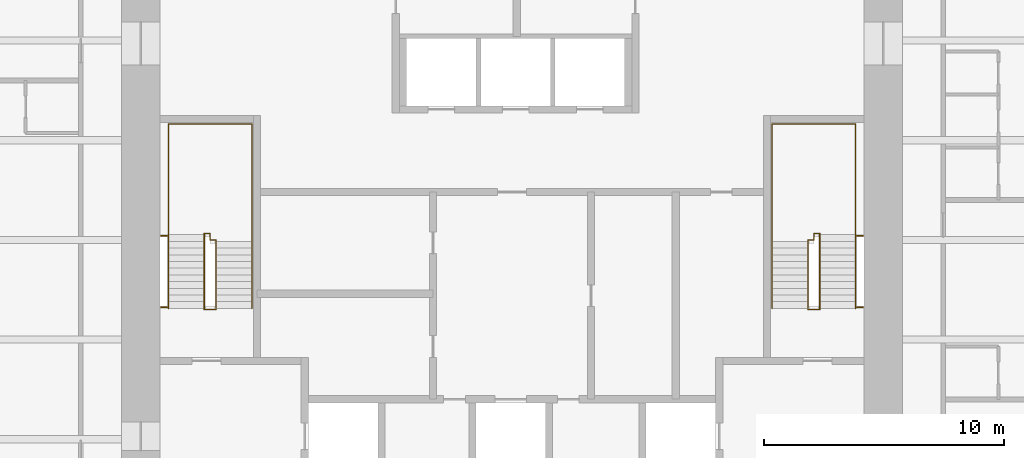
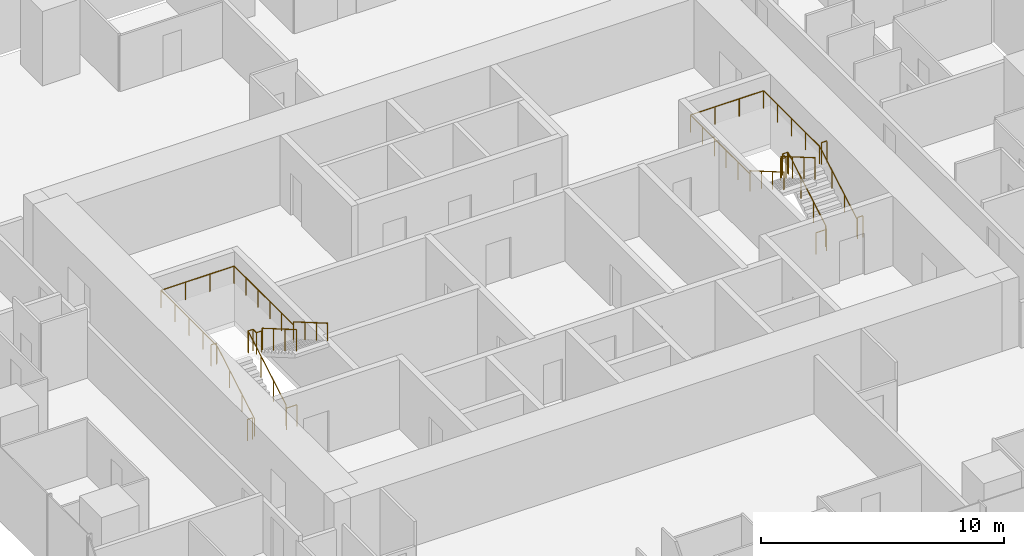
# One storey, part 12 of 12: 8 railings.
"""IFC4 building model written with IfcOpenShell, lengths in metres."""

from ifc_helpers import new_model, si_unit, direction, frame, origin, origin_2d, place, context, subcontext, project, spatial, circle, extrude, material, type_object, element, save


model = new_model("IFC4")

# Units and contexts
model_context = context("Model", 3, precision=1e-05, world=origin(), true_north=direction((0.0, 1.0)))
body_context = subcontext(model_context, "Body", "Model", "MODEL_VIEW")
ifc_project = project(units=[si_unit("LENGTHUNIT", "METRE"), si_unit("AREAUNIT", "SQUARE_METRE"), si_unit("VOLUMEUNIT", "CUBIC_METRE"), si_unit("PLANEANGLEUNIT", "RADIAN"), si_unit("MASSUNIT", "GRAM", prefix="KILO")], contexts=[model_context])

# Site, building, storey
site_placement = place(None, origin())
site = spatial("IfcSite", under=ifc_project, at=site_placement, CompositionType="ELEMENT")
building_placement = place(site_placement, origin())
building = spatial("IfcBuilding", under=site, at=building_placement, Name="Khuree Lantern Residences", CompositionType="ELEMENT")
storey_placement = place(building_placement, frame((0.0, 0.0, 225.75)))
storey = spatial("IfcBuildingStorey", under=building, at=storey_placement, Name="L56", CompositionType="ELEMENT", Elevation=225.75)

# Railings
ifc_material = material(Name="Steel S355", Category="steel")
railing_type_1 = type_object("IfcRailingType", Name="STAIR GUARD G1 1100", PredefinedType="GUARDRAIL", material=ifc_material)
railing_1_placement = place(storey_placement, frame((-12.35009765625, -2.909912109375, 0.0)))
element("IfcRailing", 1, at=railing_1_placement, inside=storey, type_object=railing_type_1, Name="Stair ST1 guard", PredefinedType="GUARDRAIL", context=body_context, shape_type="SweptSolid", body=[
    extrude(circle(Radius=0.02392578125, at=origin_2d()), frame((0.0, 0.0, 1.076171875), z_axis=(-1.0, 0.0, 0.0), x_axis=(0.0, -1.0, 0.0)), (0.0, 0.0, 1.0), 0.5),
    extrude(circle(Radius=0.02392578125, at=origin_2d()), frame((-0.5, 0.0, 1.076171875), z_axis=(0.0, 0.292073035251, 0.95639601739), x_axis=(-1.0, 0.0, 0.0)), (0.0, 0.0, 1.0), 0.17041015625),
    extrude(circle(Radius=0.02392578125, at=origin_2d()), frame((-0.5, 0.0498046875, 1.2392578125), z_axis=(0.0, 0.864176135923, 0.503189433615), x_axis=(-1.0, 0.0, 0.0)), (0.0, 0.0, 1.0), 3.564208984375),
    extrude(circle(Radius=0.02392578125, at=origin_2d()), frame((-0.5, 3.1298828125, 3.03271484375), z_axis=(0.0, 1.0, 0.0), x_axis=(-1.0, 0.0, 0.0)), (0.0, 0.0, 1.0), 0.050048828125),
    extrude(circle(Radius=0.02392578125, at=origin_2d()), frame((-0.5, 3.179931640625, 3.03271484375), z_axis=(1.0, 0.0, 0.0), x_axis=(0.0, 1.0, 0.0)), (0.0, 0.0, 1.0), 0.25),
    extrude(circle(Radius=0.02392578125, at=origin_2d()), frame((-0.25, 3.179931640625, 3.03271484375), z_axis=(0.0, -1.0, 0.0), x_axis=(1.0, 0.0, 0.0)), (0.0, 0.0, 1.0), 0.280029296875),
    extrude(circle(Radius=0.02392578125, at=origin_2d()), frame((-0.25, 2.89990234375, 3.03271484375), z_axis=(1.0, 0.0, 0.0), x_axis=(0.0, 1.0, 0.0)), (0.0, 0.0, 1.0), 0.25),
    extrude(circle(Radius=0.02392578125, at=origin_2d()), frame((0.0, 2.89990234375, 3.03271484375), z_axis=(0.0, -0.293381807449, 0.955995353053), x_axis=(1.0, 0.0, 0.0)), (0.0, 0.0, 1.0), 0.170654296875),
    extrude(circle(Radius=0.02392578125, at=origin_2d()), frame((0.0, 2.849853515625, 3.19580078125), z_axis=(0.0, -0.864180358799, 0.503182181189), x_axis=(1.0, 0.0, 0.0)), (0.0, 0.0, 1.0), 3.240234375),
    extrude(circle(Radius=0.02099609375, at=origin_2d()), origin(), (0.0, 0.0, 1.0), 1.052001953125),
    extrude(circle(Radius=0.02099609375, at=origin_2d()), frame((-0.5, 0.0, 0.0)), (0.0, 0.0, 1.0), 1.052001953125),
    extrude(circle(Radius=0.02099609375, at=origin_2d()), frame((-0.5, 0.0498046875, 0.1630859375)), (0.0, 0.0, 1.0), 1.052001953125),
    extrude(circle(Radius=0.02099609375, at=origin_2d()), frame((-0.5, 1.076416015625, 0.760986328125)), (0.0, 0.0, 1.0), 1.052001953125),
    extrude(circle(Radius=0.02099609375, at=origin_2d()), frame((-0.5, 2.103271484375, 1.358642578125)), (0.0, 0.0, 1.0), 1.052001953125),
    extrude(circle(Radius=0.02099609375, at=origin_2d()), frame((-0.5, 3.1298828125, 1.95654296875)), (0.0, 0.0, 1.0), 1.052001953125),
    extrude(circle(Radius=0.02099609375, at=origin_2d()), frame((-0.5, 3.179931640625, 1.95654296875)), (0.0, 0.0, 1.0), 1.052001953125),
    extrude(circle(Radius=0.02099609375, at=origin_2d()), frame((-0.25, 3.179931640625, 1.95654296875)), (0.0, 0.0, 1.0), 1.052001953125),
    extrude(circle(Radius=0.02099609375, at=origin_2d()), frame((-0.25, 2.89990234375, 1.95654296875)), (0.0, 0.0, 1.0), 1.052001953125),
    extrude(circle(Radius=0.02099609375, at=origin_2d()), frame((0.0, 2.89990234375, 1.95654296875)), (0.0, 0.0, 1.0), 1.052001953125),
    extrude(circle(Radius=0.02099609375, at=origin_2d()), frame((0.0, 2.849853515625, 2.11962890625)), (0.0, 0.0, 1.0), 1.052001953125),
    extrude(circle(Radius=0.02099609375, at=origin_2d()), frame((0.0, 1.91650390625, 2.6630859375)), (0.0, 0.0, 1.0), 1.052001953125),
    extrude(circle(Radius=0.02099609375, at=origin_2d()), frame((0.0, 0.983154296875, 3.20654296875)), (0.0, 0.0, 1.0), 1.052001953125),
    extrude(circle(Radius=0.02099609375, at=origin_2d()), frame((0.0, 0.0498046875, 3.75)), (0.0, 0.0, 1.0), 1.052001953125),
])
for number, where, name in (
    (2, (-14.64990234375, -2.81005859375, 0.0), "Stair ST1 landing slot guard"),
    (3, (-14.64990234375, 0.169921875, 1.95654296875), "Stair ST1 landing slot guard"),
):
    element("IfcRailing", number, at=place(storey_placement, frame(where)), inside=storey, type_object=railing_type_1, Name=name, PredefinedType="GUARDRAIL", context=body_context, shape_type="SweptSolid", body=[
        extrude(circle(Radius=0.02392578125, at=origin_2d()), frame((0.0, 0.0, 1.076171875), z_axis=(1.0, 0.0, 0.0), x_axis=(0.0, 1.0, 0.0)), (0.0, 0.0, 1.0), 0.25),
        extrude(circle(Radius=0.02099609375, at=origin_2d()), origin(), (0.0, 0.0, 1.0), 1.052001953125),
        extrude(circle(Radius=0.02099609375, at=origin_2d()), frame((0.25, 0.0, 0.0)), (0.0, 0.0, 1.0), 1.052001953125),
    ])
railing_2_placement = place(storey_placement, frame((12.35009765625, -2.909912109375, 0.0)))
element("IfcRailing", 4, at=railing_2_placement, inside=storey, type_object=railing_type_1, Name="Stair ST2 guard", PredefinedType="GUARDRAIL", context=body_context, shape_type="SweptSolid", body=[
    extrude(circle(Radius=0.02392578125, at=origin_2d()), frame((0.0, 0.0, 1.076171875), z_axis=(1.0, 0.0, 0.0), x_axis=(0.0, 1.0, 0.0)), (0.0, 0.0, 1.0), 0.5),
    extrude(circle(Radius=0.02392578125, at=origin_2d()), frame((0.5, 0.0, 1.076171875), z_axis=(0.0, 0.292073035251, 0.95639601739), x_axis=(-1.0, 0.0, 0.0)), (0.0, 0.0, 1.0), 0.17041015625),
    extrude(circle(Radius=0.02392578125, at=origin_2d()), frame((0.5, 0.0498046875, 1.2392578125), z_axis=(0.0, 0.864176135923, 0.503189433615), x_axis=(-1.0, 0.0, 0.0)), (0.0, 0.0, 1.0), 3.564208984375),
    extrude(circle(Radius=0.02392578125, at=origin_2d()), frame((0.5, 3.1298828125, 3.03271484375), z_axis=(0.0, 1.0, 0.0), x_axis=(-1.0, 0.0, 0.0)), (0.0, 0.0, 1.0), 0.050048828125),
    extrude(circle(Radius=0.02392578125, at=origin_2d()), frame((0.5, 3.179931640625, 3.03271484375), z_axis=(-1.0, 0.0, 0.0), x_axis=(0.0, -1.0, 0.0)), (0.0, 0.0, 1.0), 0.25),
    extrude(circle(Radius=0.02392578125, at=origin_2d()), frame((0.25, 3.179931640625, 3.03271484375), z_axis=(0.0, -1.0, 0.0), x_axis=(1.0, 0.0, 0.0)), (0.0, 0.0, 1.0), 0.280029296875),
    extrude(circle(Radius=0.02392578125, at=origin_2d()), frame((0.25, 2.89990234375, 3.03271484375), z_axis=(-1.0, 0.0, 0.0), x_axis=(0.0, -1.0, 0.0)), (0.0, 0.0, 1.0), 0.25),
    extrude(circle(Radius=0.02392578125, at=origin_2d()), frame((0.0, 2.89990234375, 3.03271484375), z_axis=(0.0, -0.293381807449, 0.955995353053), x_axis=(1.0, 0.0, 0.0)), (0.0, 0.0, 1.0), 0.170654296875),
    extrude(circle(Radius=0.02392578125, at=origin_2d()), frame((0.0, 2.849853515625, 3.19580078125), z_axis=(0.0, -0.864180358799, 0.503182181189), x_axis=(1.0, 0.0, 0.0)), (0.0, 0.0, 1.0), 3.240234375),
    extrude(circle(Radius=0.02099609375, at=origin_2d()), origin(), (0.0, 0.0, 1.0), 1.052001953125),
    extrude(circle(Radius=0.02099609375, at=origin_2d()), frame((0.5, 0.0, 0.0)), (0.0, 0.0, 1.0), 1.052001953125),
    extrude(circle(Radius=0.02099609375, at=origin_2d()), frame((0.5, 0.0498046875, 0.1630859375)), (0.0, 0.0, 1.0), 1.052001953125),
    extrude(circle(Radius=0.02099609375, at=origin_2d()), frame((0.5, 1.076416015625, 0.760986328125)), (0.0, 0.0, 1.0), 1.052001953125),
    extrude(circle(Radius=0.02099609375, at=origin_2d()), frame((0.5, 2.103271484375, 1.358642578125)), (0.0, 0.0, 1.0), 1.052001953125),
    extrude(circle(Radius=0.02099609375, at=origin_2d()), frame((0.5, 3.1298828125, 1.95654296875)), (0.0, 0.0, 1.0), 1.052001953125),
    extrude(circle(Radius=0.02099609375, at=origin_2d()), frame((0.5, 3.179931640625, 1.95654296875)), (0.0, 0.0, 1.0), 1.052001953125),
    extrude(circle(Radius=0.02099609375, at=origin_2d()), frame((0.25, 3.179931640625, 1.95654296875)), (0.0, 0.0, 1.0), 1.052001953125),
    extrude(circle(Radius=0.02099609375, at=origin_2d()), frame((0.25, 2.89990234375, 1.95654296875)), (0.0, 0.0, 1.0), 1.052001953125),
    extrude(circle(Radius=0.02099609375, at=origin_2d()), frame((0.0, 2.89990234375, 1.95654296875)), (0.0, 0.0, 1.0), 1.052001953125),
    extrude(circle(Radius=0.02099609375, at=origin_2d()), frame((0.0, 2.849853515625, 2.11962890625)), (0.0, 0.0, 1.0), 1.052001953125),
    extrude(circle(Radius=0.02099609375, at=origin_2d()), frame((0.0, 1.91650390625, 2.6630859375)), (0.0, 0.0, 1.0), 1.052001953125),
    extrude(circle(Radius=0.02099609375, at=origin_2d()), frame((0.0, 0.983154296875, 3.20654296875)), (0.0, 0.0, 1.0), 1.052001953125),
    extrude(circle(Radius=0.02099609375, at=origin_2d()), frame((0.0, 0.0498046875, 3.75)), (0.0, 0.0, 1.0), 1.052001953125),
])
for number, where, name in (
    (5, (14.64990234375, -2.81005859375, 0.0), "Stair ST2 landing slot guard"),
    (6, (14.64990234375, 0.169921875, 1.95654296875), "Stair ST2 landing slot guard"),
):
    element("IfcRailing", number, at=place(storey_placement, frame(where)), inside=storey, type_object=railing_type_1, Name=name, PredefinedType="GUARDRAIL", context=body_context, shape_type="SweptSolid", body=[
        extrude(circle(Radius=0.02392578125, at=origin_2d()), frame((0.0, 0.0, 1.076171875), z_axis=(-1.0, 0.0, 0.0), x_axis=(0.0, -1.0, 0.0)), (0.0, 0.0, 1.0), 0.25),
        extrude(circle(Radius=0.02099609375, at=origin_2d()), origin(), (0.0, 0.0, 1.0), 1.052001953125),
        extrude(circle(Radius=0.02099609375, at=origin_2d()), frame((-0.25, 0.0, 0.0)), (0.0, 0.0, 1.0), 1.052001953125),
    ])
railing_type_2 = type_object("IfcRailingType", Name="STAIR HANDRAIL H1 900", PredefinedType="HANDRAIL", material=ifc_material)
railing_3_placement = place(storey_placement, frame((-14.340087890625, -2.860107421875, 0.1630859375)))
element("IfcRailing", 7, at=railing_3_placement, inside=storey, type_object=railing_type_2, Name="Stair ST1 handrail", PredefinedType="HANDRAIL", context=body_context, shape_type="SweptSolid", body=[
    extrude(circle(Radius=0.02392578125, at=origin_2d()), frame((0.0, 0.0, 0.8759765625), z_axis=(0.0, 0.864176135923, 0.503189433615), x_axis=(-1.0, 0.0, 0.0)), (0.0, 0.0, 1.0), 3.564208984375),
    extrude(circle(Radius=0.02392578125, at=origin_2d()), frame((0.0, 3.080078125, 2.66943359375), z_axis=(0.0, 1.0, 0.0), x_axis=(-1.0, 0.0, 0.0)), (0.0, 0.0, 1.0), 4.6201171875),
    extrude(circle(Radius=0.02392578125, at=origin_2d()), frame((0.0, 7.7001953125, 2.66943359375), z_axis=(1.0, 0.0, 0.0), x_axis=(0.0, 1.0, 0.0)), (0.0, 0.0, 1.0), 3.47998046875),
    extrude(circle(Radius=0.02392578125, at=origin_2d()), frame((3.47998046875, 7.7001953125, 2.66943359375), z_axis=(0.0, -1.0, 0.0), x_axis=(1.0, 0.0, 0.0)), (0.0, 0.0, 1.0), 4.900146484375),
    extrude(circle(Radius=0.02392578125, at=origin_2d()), frame((3.47998046875, 2.800048828125, 2.66943359375), z_axis=(0.0, 0.0, 1.0), x_axis=(1.0, 0.0, 0.0)), (0.0, 0.0, 1.0), 0.1630859375),
    extrude(circle(Radius=0.02392578125, at=origin_2d()), frame((3.47998046875, 2.800048828125, 2.83251953125), z_axis=(0.0, -0.864180358799, 0.503182181189), x_axis=(1.0, 0.0, 0.0)), (0.0, 0.0, 1.0), 3.240234375),
    extrude(circle(Radius=0.02099609375, at=origin_2d()), origin(), (0.0, 0.0, 1.0), 0.851806640625),
    extrude(circle(Radius=0.02099609375, at=origin_2d()), frame((0.0, 1.026611328125, 0.597900390625)), (0.0, 0.0, 1.0), 0.851806640625),
    extrude(circle(Radius=0.02099609375, at=origin_2d()), frame((0.0, 2.053466796875, 1.195556640625)), (0.0, 0.0, 1.0), 0.851806640625),
    extrude(circle(Radius=0.02099609375, at=origin_2d()), frame((0.0, 3.080078125, 1.79345703125)), (0.0, 0.0, 1.0), 0.851806640625),
    extrude(circle(Radius=0.02099609375, at=origin_2d()), frame((0.0, 4.235107421875, 1.79345703125)), (0.0, 0.0, 1.0), 0.851806640625),
    extrude(circle(Radius=0.02099609375, at=origin_2d()), frame((0.0, 5.39013671875, 1.79345703125)), (0.0, 0.0, 1.0), 0.851806640625),
    extrude(circle(Radius=0.02099609375, at=origin_2d()), frame((0.0, 6.545166015625, 1.79345703125)), (0.0, 0.0, 1.0), 0.851806640625),
    extrude(circle(Radius=0.02099609375, at=origin_2d()), frame((0.0, 7.7001953125, 1.79345703125)), (0.0, 0.0, 1.0), 0.851806640625),
    extrude(circle(Radius=0.02099609375, at=origin_2d()), frame((1.159912109375, 7.7001953125, 1.79345703125)), (0.0, 0.0, 1.0), 0.851806640625),
    extrude(circle(Radius=0.02099609375, at=origin_2d()), frame((2.320068359375, 7.7001953125, 1.79345703125)), (0.0, 0.0, 1.0), 0.851806640625),
    extrude(circle(Radius=0.02099609375, at=origin_2d()), frame((3.47998046875, 7.7001953125, 1.79345703125)), (0.0, 0.0, 1.0), 0.851806640625),
    extrude(circle(Radius=0.02099609375, at=origin_2d()), frame((3.47998046875, 6.72021484375, 1.79345703125)), (0.0, 0.0, 1.0), 0.851806640625),
    extrude(circle(Radius=0.02099609375, at=origin_2d()), frame((3.47998046875, 5.740234375, 1.79345703125)), (0.0, 0.0, 1.0), 0.851806640625),
    extrude(circle(Radius=0.02099609375, at=origin_2d()), frame((3.47998046875, 4.760009765625, 1.79345703125)), (0.0, 0.0, 1.0), 0.851806640625),
    extrude(circle(Radius=0.02099609375, at=origin_2d()), frame((3.47998046875, 3.780029296875, 1.79345703125)), (0.0, 0.0, 1.0), 0.851806640625),
    extrude(circle(Radius=0.02099609375, at=origin_2d()), frame((3.47998046875, 2.800048828125, 1.79345703125)), (0.0, 0.0, 1.0), 0.851806640625),
    extrude(circle(Radius=0.02099609375, at=origin_2d()), frame((3.47998046875, 2.800048828125, 1.95654296875)), (0.0, 0.0, 1.0), 0.851806640625),
    extrude(circle(Radius=0.02099609375, at=origin_2d()), frame((3.47998046875, 1.86669921875, 2.5)), (0.0, 0.0, 1.0), 0.851806640625),
    extrude(circle(Radius=0.02099609375, at=origin_2d()), frame((3.47998046875, 0.933349609375, 3.04345703125)), (0.0, 0.0, 1.0), 0.851806640625),
    extrude(circle(Radius=0.02099609375, at=origin_2d()), frame((3.47998046875, 0.0, 3.5869140625)), (0.0, 0.0, 1.0), 0.851806640625),
])
railing_4_placement = place(storey_placement, frame((14.340087890625, -2.860107421875, 0.1630859375)))
element("IfcRailing", 8, at=railing_4_placement, inside=storey, type_object=railing_type_2, Name="Stair ST2 handrail", PredefinedType="HANDRAIL", context=body_context, shape_type="SweptSolid", body=[
    extrude(circle(Radius=0.02392578125, at=origin_2d()), frame((0.0, 0.0, 0.8759765625), z_axis=(0.0, 0.864176135923, 0.503189433615), x_axis=(-1.0, 0.0, 0.0)), (0.0, 0.0, 1.0), 3.564208984375),
    extrude(circle(Radius=0.02392578125, at=origin_2d()), frame((0.0, 3.080078125, 2.66943359375), z_axis=(0.0, 1.0, 0.0), x_axis=(-1.0, 0.0, 0.0)), (0.0, 0.0, 1.0), 4.6201171875),
    extrude(circle(Radius=0.02392578125, at=origin_2d()), frame((0.0, 7.7001953125, 2.66943359375), z_axis=(-1.0, 0.0, 0.0), x_axis=(0.0, -1.0, 0.0)), (0.0, 0.0, 1.0), 3.47998046875),
    extrude(circle(Radius=0.02392578125, at=origin_2d()), frame((-3.47998046875, 7.7001953125, 2.66943359375), z_axis=(0.0, -1.0, 0.0), x_axis=(1.0, 0.0, 0.0)), (0.0, 0.0, 1.0), 4.900146484375),
    extrude(circle(Radius=0.02392578125, at=origin_2d()), frame((-3.47998046875, 2.800048828125, 2.66943359375), z_axis=(0.0, 0.0, 1.0), x_axis=(1.0, 0.0, 0.0)), (0.0, 0.0, 1.0), 0.1630859375),
    extrude(circle(Radius=0.02392578125, at=origin_2d()), frame((-3.47998046875, 2.800048828125, 2.83251953125), z_axis=(0.0, -0.864180358799, 0.503182181189), x_axis=(1.0, 0.0, 0.0)), (0.0, 0.0, 1.0), 3.240234375),
    extrude(circle(Radius=0.02099609375, at=origin_2d()), origin(), (0.0, 0.0, 1.0), 0.851806640625),
    extrude(circle(Radius=0.02099609375, at=origin_2d()), frame((0.0, 1.026611328125, 0.597900390625)), (0.0, 0.0, 1.0), 0.851806640625),
    extrude(circle(Radius=0.02099609375, at=origin_2d()), frame((0.0, 2.053466796875, 1.195556640625)), (0.0, 0.0, 1.0), 0.851806640625),
    extrude(circle(Radius=0.02099609375, at=origin_2d()), frame((0.0, 3.080078125, 1.79345703125)), (0.0, 0.0, 1.0), 0.851806640625),
    extrude(circle(Radius=0.02099609375, at=origin_2d()), frame((0.0, 4.235107421875, 1.79345703125)), (0.0, 0.0, 1.0), 0.851806640625),
    extrude(circle(Radius=0.02099609375, at=origin_2d()), frame((0.0, 5.39013671875, 1.79345703125)), (0.0, 0.0, 1.0), 0.851806640625),
    extrude(circle(Radius=0.02099609375, at=origin_2d()), frame((0.0, 6.545166015625, 1.79345703125)), (0.0, 0.0, 1.0), 0.851806640625),
    extrude(circle(Radius=0.02099609375, at=origin_2d()), frame((0.0, 7.7001953125, 1.79345703125)), (0.0, 0.0, 1.0), 0.851806640625),
    extrude(circle(Radius=0.02099609375, at=origin_2d()), frame((-1.159912109375, 7.7001953125, 1.79345703125)), (0.0, 0.0, 1.0), 0.851806640625),
    extrude(circle(Radius=0.02099609375, at=origin_2d()), frame((-2.320068359375, 7.7001953125, 1.79345703125)), (0.0, 0.0, 1.0), 0.851806640625),
    extrude(circle(Radius=0.02099609375, at=origin_2d()), frame((-3.47998046875, 7.7001953125, 1.79345703125)), (0.0, 0.0, 1.0), 0.851806640625),
    extrude(circle(Radius=0.02099609375, at=origin_2d()), frame((-3.47998046875, 6.72021484375, 1.79345703125)), (0.0, 0.0, 1.0), 0.851806640625),
    extrude(circle(Radius=0.02099609375, at=origin_2d()), frame((-3.47998046875, 5.740234375, 1.79345703125)), (0.0, 0.0, 1.0), 0.851806640625),
    extrude(circle(Radius=0.02099609375, at=origin_2d()), frame((-3.47998046875, 4.760009765625, 1.79345703125)), (0.0, 0.0, 1.0), 0.851806640625),
    extrude(circle(Radius=0.02099609375, at=origin_2d()), frame((-3.47998046875, 3.780029296875, 1.79345703125)), (0.0, 0.0, 1.0), 0.851806640625),
    extrude(circle(Radius=0.02099609375, at=origin_2d()), frame((-3.47998046875, 2.800048828125, 1.79345703125)), (0.0, 0.0, 1.0), 0.851806640625),
    extrude(circle(Radius=0.02099609375, at=origin_2d()), frame((-3.47998046875, 2.800048828125, 1.95654296875)), (0.0, 0.0, 1.0), 0.851806640625),
    extrude(circle(Radius=0.02099609375, at=origin_2d()), frame((-3.47998046875, 1.86669921875, 2.5)), (0.0, 0.0, 1.0), 0.851806640625),
    extrude(circle(Radius=0.02099609375, at=origin_2d()), frame((-3.47998046875, 0.933349609375, 3.04345703125)), (0.0, 0.0, 1.0), 0.851806640625),
    extrude(circle(Radius=0.02099609375, at=origin_2d()), frame((-3.47998046875, 0.0, 3.5869140625)), (0.0, 0.0, 1.0), 0.851806640625),
])

save(model, "model.ifc")
